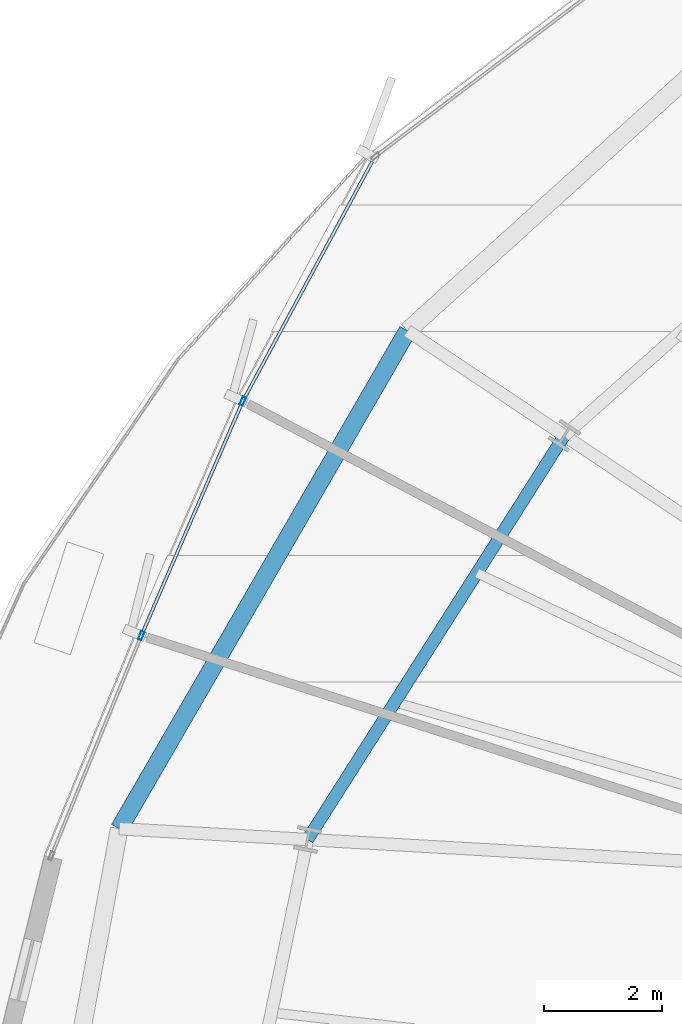
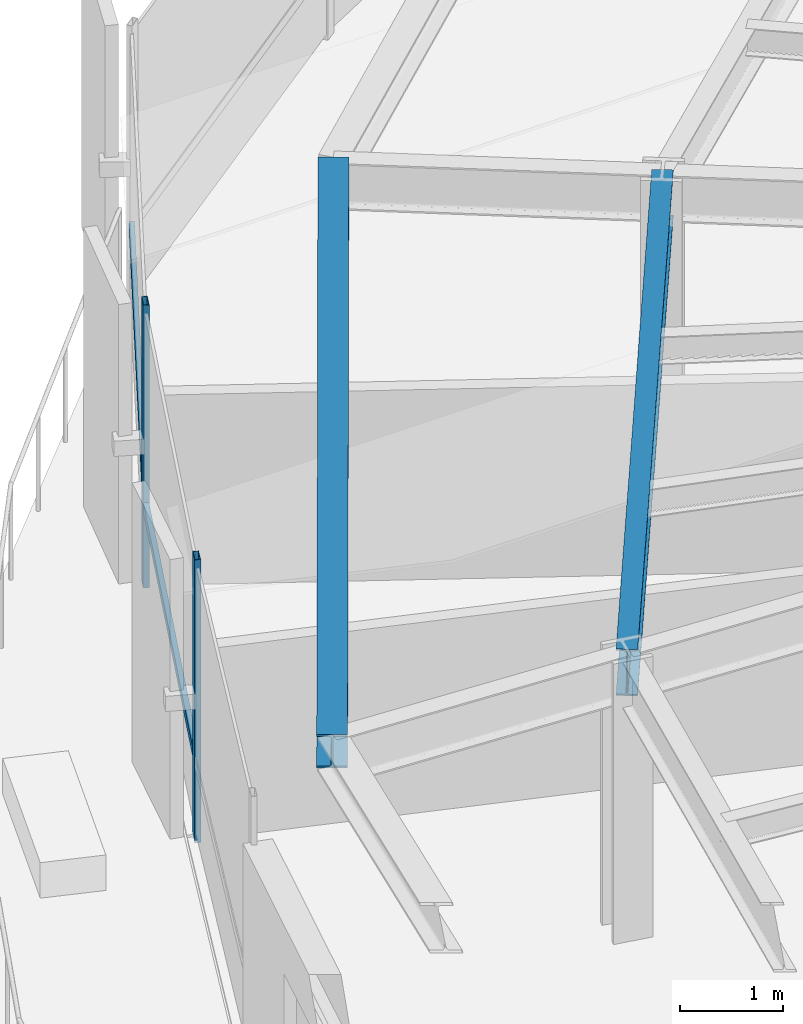
# One storey, part 17 of 35: 4 members, 2 beams, 1 element without a shape of its own.
"""IFC4 building model written with IfcOpenShell, lengths in metres."""

from ifc_helpers import new_model, si_unit, direction, frame, origin, origin_2d, place, context, subcontext, project, spatial, hollow_rectangle, i_section, extrude, source, transform, mapped, material, layer, layer_set, material_profile, profile_set, type_object, element, aggregate, save


model = new_model("IFC4")

# Units and contexts
model_context = context("Model", 3, precision=1e-05, world=origin(), true_north=direction((0.0, 1.0)))
body_context = subcontext(model_context, "Body", "Model", "MODEL_VIEW")
ifc_project = project(units=[si_unit("LENGTHUNIT", "METRE"), si_unit("AREAUNIT", "SQUARE_METRE"), si_unit("VOLUMEUNIT", "CUBIC_METRE"), si_unit("PLANEANGLEUNIT", "RADIAN"), si_unit("MASSUNIT", "GRAM", prefix="KILO"), si_unit("THERMODYNAMICTEMPERATUREUNIT", "KELVIN")], contexts=[model_context])

# Site, building, storey
site_placement = place(None, origin())
site = spatial("IfcSite", under=ifc_project, at=site_placement, CompositionType="ELEMENT")
building_placement = place(site_placement, origin())
building = spatial("IfcBuilding", under=site, at=building_placement, Name="Kethvar Cultural Tower", CompositionType="ELEMENT")
storey_placement = place(building_placement, frame((0.0, 0.0, 100.0)))
storey = spatial("IfcBuildingStorey", under=building, at=storey_placement, Name="L24", CompositionType="ELEMENT", Elevation=100.0)

# Beams
ifc_material_1 = material(Name="Steel S355J2", Category="steel")
ifc_material_profile_1 = material_profile(ifc_material_1, i_section(OverallWidth=0.2099609375, OverallDepth=0.550048828125, WebThickness=0.010986328125, FlangeThickness=0.01708984375, FilletRadius=0.02392578125, at=origin_2d()), Name="Steel S355J2 — IPE550")
ifc_profile_set_1 = profile_set([ifc_material_profile_1], Name="Steel S355J2 — IPE550")
beam_type_1 = type_object("IfcBeamType", Name="BM-IPE550", PredefinedType="BEAM", material=ifc_profile_set_1)
shared_shape_1 = source(origin(), body_context, "Body", "SweptSolid", [
    extrude(i_section(OverallWidth=0.2099609375, OverallDepth=0.550048828125, WebThickness=0.010986328125, FlangeThickness=0.01708984375, FilletRadius=0.02392578125, at=origin_2d()), origin(), (0.0, 0.0, 1.0), 8.122314453125),
])
beam_1_placement = place(storey_placement, frame((30.345947265625, 38.794189453125, 3.072998046875), z_axis=(-0.536478664647, -0.843913883272, 0.0), x_axis=(0.843913883272, -0.536478664647, 0.0)))
element("IfcBeam", 1, at=beam_1_placement, inside=storey, type_object=beam_type_1, Name="L24 Column Ring Tie Beam CR-07", PredefinedType="BEAM", context=body_context, shape_type="MappedRepresentation", body=[
    mapped(shared_shape_1, transform((0.0, 0.0, 0.0), scale=1.0)),
])
ifc_material_profile_2 = material_profile(ifc_material_1, i_section(OverallWidth=0.300048828125, OverallDepth=0.39990234375, WebThickness=0.013427734375, FlangeThickness=0.02392578125, FilletRadius=0.027099609375, at=origin_2d()), Name="Steel S355J2 — HEB400")
ifc_profile_set_2 = profile_set([ifc_material_profile_2], Name="Steel S355J2 — HEB400")
beam_type_2 = type_object("IfcBeamType", Name="BM-SP400", PredefinedType="SPANDREL", material=ifc_profile_set_2)
shared_shape_2 = source(origin(), body_context, "Body", "SweptSolid", [
    extrude(i_section(OverallWidth=0.300048828125, OverallDepth=0.39990234375, WebThickness=0.013427734375, FlangeThickness=0.02392578125, FilletRadius=0.027099609375, at=origin_2d()), origin(), (0.0, 0.0, 1.0), 9.762939453125),
])
beam_2_placement = place(storey_placement, frame((27.685302734375, 40.572021484375, 3.14794921875), z_axis=(-0.501043170838, -0.865422290536, 0.0), x_axis=(0.865422290536, -0.501043170838, 0.0)))
element("IfcBeam", 2, at=beam_2_placement, inside=storey, type_object=beam_type_2, Name="L24 Perimeter Spandrel Beam SP-07", PredefinedType="SPANDREL", context=body_context, shape_type="MappedRepresentation", body=[
    mapped(shared_shape_2, transform((0.0, 0.0, 0.0), scale=1.0)),
])

# Curtain wall, members
ifc_material_2 = material(Name="Aluminium 6063-T6", Category="aluminium")
ifc_layer = layer(ifc_material_2, 0.179931640625, Name="Aluminium 6063-T6", Category="aluminium")
ifc_layer_set = layer_set([ifc_layer], Name="Aluminium 6063-T6 (180 mm)")
curtain_wall_type = type_object("IfcCurtainWallType", Name="CW-SYS-03-Z2", PredefinedType="NOTDEFINED", material=ifc_layer_set)
curtain_wall_placement = place(storey_placement, origin())
curtain_wall = element("IfcCurtainWall", 3, at=curtain_wall_placement, inside=storey, type_object=curtain_wall_type, Name="L24 Curtain Wall Run 03", PredefinedType="NOTDEFINED")
ifc_material_profile_3 = material_profile(ifc_material_2, hollow_rectangle(XDim=0.06005859375, YDim=0.14990234375, WallThickness=0.0048828125, at=origin_2d()), Name="Aluminium 6063-T6 — RHS150x60x5")
ifc_profile_set_3 = profile_set([ifc_material_profile_3], Name="Aluminium 6063-T6 — RHS150x60x5")
member_type_1 = type_object("IfcMemberType", Name="CW-SYS-03-Z2-MUL", PredefinedType="MULLION", material=ifc_profile_set_3)
shared_shape_3 = source(origin(), body_context, "Body", "SweptSolid", [
    extrude(hollow_rectangle(XDim=0.06005859375, YDim=0.14990234375, WallThickness=0.0048828125, at=origin_2d()), origin(), (0.0, 0.0, 1.0), 3.35009765625),
])
member_1_placement = place(storey_placement, frame((24.890625, 39.380615234375, 0.0), z_axis=(0.0, 0.0, 1.0), x_axis=(0.917775419041, -0.397099836571, 0.0)))
member_1 = element("IfcMember", 4, at=member_1_placement, type_object=member_type_1, Name="CW-L24-R03 Mullion 2", PredefinedType="MULLION", context=body_context, shape_type="MappedRepresentation", body=[
    mapped(shared_shape_3, transform((0.0, 0.0, 0.0), scale=1.0)),
])
member_2_placement = place(storey_placement, frame((23.168701171875, 35.400390625, 0.0), z_axis=(0.0, 0.0, 1.0), x_axis=(0.925784831624, -0.378050850463, 0.0)))
member_2 = element("IfcMember", 5, at=member_2_placement, type_object=member_type_1, Name="CW-L24-R03 Mullion 3", PredefinedType="MULLION", context=body_context, shape_type="MappedRepresentation", body=[
    mapped(shared_shape_3, transform((0.0, 0.0, 0.0), scale=1.0)),
])
ifc_material_profile_4 = material_profile(ifc_material_2, hollow_rectangle(XDim=0.054931640625, YDim=0.1201171875, WallThickness=0.00390625, at=origin_2d()), Name="Aluminium 6063-T6 — RHS120x55x4")
ifc_profile_set_4 = profile_set([ifc_material_profile_4], Name="Aluminium 6063-T6 — RHS120x55x4")
member_type_2 = type_object("IfcMemberType", Name="CW-SYS-03-Z2-TRN", PredefinedType="USERDEFINED", material=ifc_profile_set_4)
shared_shape_4 = source(origin(), body_context, "Body", "SweptSolid", [
    extrude(hollow_rectangle(XDim=0.054931640625, YDim=0.1201171875, WallThickness=0.00390625, at=origin_2d()), origin(), (0.0, 0.0, 1.0), 4.65673828125),
])
member_3_placement = place(storey_placement, frame((27.12060546875, 43.50634765625, 0.949951171875), z_axis=(-0.475362411095, -0.879790076165, 0.0), x_axis=(0.879790076165, -0.475362411095, 0.0)))
member_3 = element("IfcMember", 6, at=member_3_placement, type_object=member_type_2, Name="CW-L24-R03 Transom 1", ObjectType="TRANSOM", PredefinedType="USERDEFINED", context=body_context, shape_type="MappedRepresentation", body=[
    mapped(shared_shape_4, transform((0.0, 0.0, 0.0), scale=1.0)),
])
shared_shape_5 = source(origin(), body_context, "Body", "SweptSolid", [
    extrude(hollow_rectangle(XDim=0.054931640625, YDim=0.1201171875, WallThickness=0.00390625, at=origin_2d()), origin(), (0.0, 0.0, 1.0), 4.252685546875),
])
member_4_placement = place(storey_placement, frame((24.87353515625, 39.3408203125, 0.949951171875), z_axis=(-0.39709022035, -0.917779579693, 0.0), x_axis=(0.917779579693, -0.39709022035, 0.0)))
member_4 = element("IfcMember", 7, at=member_4_placement, type_object=member_type_2, Name="CW-L24-R03 Transom 2", ObjectType="TRANSOM", PredefinedType="USERDEFINED", context=body_context, shape_type="MappedRepresentation", body=[
    mapped(shared_shape_5, transform((0.0, 0.0, 0.0), scale=1.0)),
])
aggregate(curtain_wall, [member_1, member_2, member_3, member_4])

save(model, "model.ifc")
